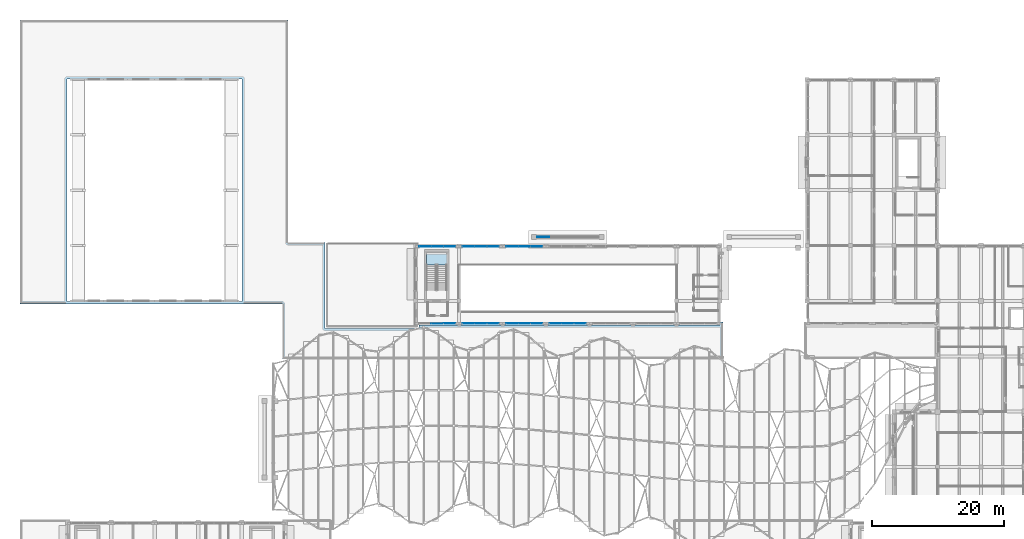
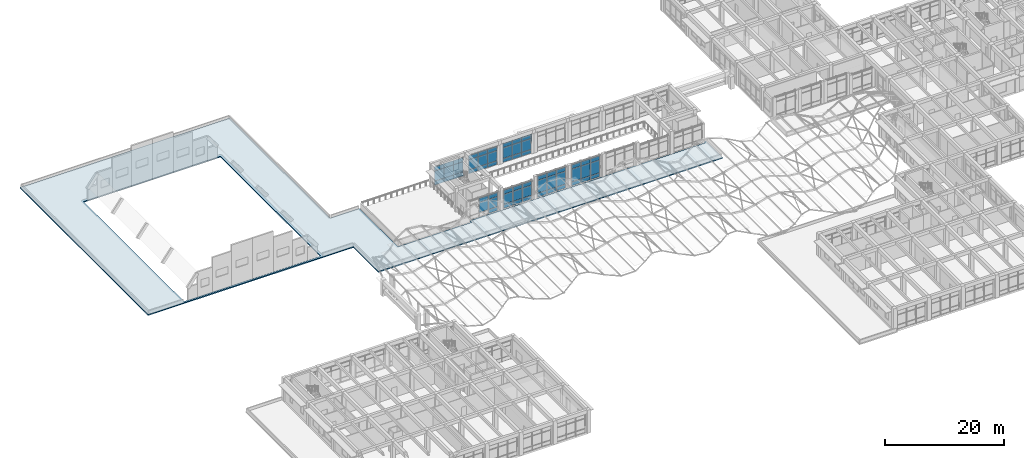
# One storey, part 38 of 79: 60 plates, 2 slabs, 8 elements without a shape of their own.
"""IFC4 building model written with IfcOpenShell, lengths in metres."""

from ifc_helpers import new_model, si_unit, direction, frame, origin, origin_2d, place, context, subcontext, project, spatial, polyline, rectangle, outline, extrude, material, layer, layer_set, type_object, element, aggregate, save


model = new_model("IFC4")

# Units and contexts
model_context = context("Model", 3, precision=1e-05, world=origin(), true_north=direction((0.0, 1.0)))
body_context = subcontext(model_context, "Body", "Model", "MODEL_VIEW")
ifc_project = project(units=[si_unit("LENGTHUNIT", "METRE"), si_unit("AREAUNIT", "SQUARE_METRE"), si_unit("VOLUMEUNIT", "CUBIC_METRE"), si_unit("PLANEANGLEUNIT", "RADIAN"), si_unit("MASSUNIT", "GRAM", prefix="KILO")], contexts=[model_context])

# Site, building, storey
site_placement = place(None, origin())
site = spatial("IfcSite", under=ifc_project, at=site_placement, CompositionType="ELEMENT")
building_placement = place(site_placement, origin())
building = spatial("IfcBuilding", under=site, at=building_placement, Name="Kolvaren Faculty of Natural Sciences", CompositionType="ELEMENT")
storey_placement = place(building_placement, frame((0.0, 0.0, 10.199951171875)))
storey = spatial("IfcBuildingStorey", under=building, at=storey_placement, Name="L02", CompositionType="ELEMENT", Elevation=10.199951171875)

# Curtain wall, plates
ifc_material_1 = material(Name="Thermally broken anodised aluminium framing", Category="aluminium")
ifc_layer_1 = layer(ifc_material_1, 0.179931640625)
ifc_layer_set_1 = layer_set([ifc_layer_1], Name="Thermally broken anodised aluminium framing")
curtain_wall_type = type_object("IfcCurtainWallType", Name="AtriumCurtainWall_CW01", PredefinedType="NOTDEFINED", material=ifc_layer_set_1)
curtain_wall_1_placement = place(storey_placement, origin())
curtain_wall_1 = element("IfcCurtainWall", 1, at=curtain_wall_1_placement, inside=storey, type_object=curtain_wall_type, Name="L02 unitised curtain wall CW-01 (CW-L02-122)", PredefinedType="NOTDEFINED")
ifc_material_2 = material(Name="Double low-E solar control insulated glazing", Category="glass")
ifc_layer_2 = layer(ifc_material_2, 0.035888671875)
ifc_layer_set_2 = layer_set([ifc_layer_2], Name="Double low-E solar control insulated glazing")
plate_type_1 = type_object("IfcPlateType", Name="EnvelopePlate_CWPGL1", PredefinedType="CURTAIN_PANEL", material=ifc_layer_set_2)
plate_1_placement = place(storey_placement, frame((84.533203125, 72.35009765625, 0.919921875), z_axis=(0.0, 0.0, 1.0), x_axis=(-1.0, 0.0, 0.0)))
plate_1 = element("IfcPlate", 2, at=plate_1_placement, type_object=plate_type_1, Name="CW-L02-122 panel 1 V1", PredefinedType="CURTAIN_PANEL", context=body_context, shape_type="SweptSolid", body=[
    extrude(rectangle(XDim=1.783203125, YDim=0.035888671875, at=origin_2d()), origin(), (0.0, 0.0, 1.0), 2.610107421875),
])
plate_2_placement = place(storey_placement, frame((82.699951171875, 72.35009765625, 0.919921875), z_axis=(0.0, 0.0, 1.0), x_axis=(-1.0, 0.0, 0.0)))
plate_2 = element("IfcPlate", 3, at=plate_2_placement, type_object=plate_type_1, Name="CW-L02-122 panel 2 V1", PredefinedType="CURTAIN_PANEL", context=body_context, shape_type="SweptSolid", body=[
    extrude(rectangle(XDim=1.783203125, YDim=0.035888671875, at=origin_2d()), origin(), (0.0, 0.0, 1.0), 2.610107421875),
])
plate_3_placement = place(storey_placement, frame((80.86669921875, 72.35009765625, 0.919921875), z_axis=(0.0, 0.0, 1.0), x_axis=(-1.0, 0.0, 0.0)))
plate_3 = element("IfcPlate", 4, at=plate_3_placement, type_object=plate_type_1, Name="CW-L02-122 panel 3 V1", PredefinedType="CURTAIN_PANEL", context=body_context, shape_type="SweptSolid", body=[
    extrude(rectangle(XDim=1.783203125, YDim=0.035888671875, at=origin_2d()), origin(), (0.0, 0.0, 1.0), 2.610107421875),
])

curtain_wall_2_placement = place(storey_placement, origin())
curtain_wall_2 = element("IfcCurtainWall", 5, at=curtain_wall_2_placement, inside=storey, type_object=curtain_wall_type, Name="L02 unitised curtain wall CW-01 (CW-L02-123)", PredefinedType="NOTDEFINED")
plate_4_placement = place(storey_placement, frame((77.933349609375, 72.35009765625, 0.919921875), z_axis=(0.0, 0.0, 1.0), x_axis=(-1.0, 0.0, 0.0)))
plate_4 = element("IfcPlate", 6, at=plate_4_placement, type_object=plate_type_1, Name="CW-L02-123 panel 1 V1", PredefinedType="CURTAIN_PANEL", context=body_context, shape_type="SweptSolid", body=[
    extrude(rectangle(XDim=1.783203125, YDim=0.035888671875, at=origin_2d()), origin(), (0.0, 0.0, 1.0), 2.610107421875),
])
plate_5_placement = place(storey_placement, frame((76.10009765625, 72.35009765625, 0.919921875), z_axis=(0.0, 0.0, 1.0), x_axis=(-1.0, 0.0, 0.0)))
plate_5 = element("IfcPlate", 7, at=plate_5_placement, type_object=plate_type_1, Name="CW-L02-123 panel 2 V1", PredefinedType="CURTAIN_PANEL", context=body_context, shape_type="SweptSolid", body=[
    extrude(rectangle(XDim=1.783203125, YDim=0.035888671875, at=origin_2d()), origin(), (0.0, 0.0, 1.0), 2.610107421875),
])
plate_6_placement = place(storey_placement, frame((74.2666015625, 72.35009765625, 0.919921875), z_axis=(0.0, 0.0, 1.0), x_axis=(-1.0, 0.0, 0.0)))
plate_6 = element("IfcPlate", 8, at=plate_6_placement, type_object=plate_type_1, Name="CW-L02-123 panel 3 V1", PredefinedType="CURTAIN_PANEL", context=body_context, shape_type="SweptSolid", body=[
    extrude(rectangle(XDim=1.783203125, YDim=0.035888671875, at=origin_2d()), origin(), (0.0, 0.0, 1.0), 2.610107421875),
])

curtain_wall_3_placement = place(storey_placement, origin())
curtain_wall_3 = element("IfcCurtainWall", 9, at=curtain_wall_3_placement, inside=storey, type_object=curtain_wall_type, Name="L02 unitised curtain wall CW-01 (CW-L02-124)", PredefinedType="NOTDEFINED")
plate_7_placement = place(storey_placement, frame((71.333251953125, 72.35009765625, 0.920166015625), z_axis=(0.0, 0.0, 1.0), x_axis=(-1.0, 0.0, 0.0)))
plate_7 = element("IfcPlate", 10, at=plate_7_placement, type_object=plate_type_1, Name="CW-L02-124 panel 1 V1", PredefinedType="CURTAIN_PANEL", context=body_context, shape_type="SweptSolid", body=[
    extrude(rectangle(XDim=1.783203125, YDim=0.035888671875, at=origin_2d()), origin(), (0.0, 0.0, 1.0), 2.044921875),
])
plate_8_placement = place(storey_placement, frame((69.5, 72.35009765625, 0.920166015625), z_axis=(0.0, 0.0, 1.0), x_axis=(-1.0, 0.0, 0.0)))
plate_8 = element("IfcPlate", 11, at=plate_8_placement, type_object=plate_type_1, Name="CW-L02-124 panel 2 V1", PredefinedType="CURTAIN_PANEL", context=body_context, shape_type="SweptSolid", body=[
    extrude(rectangle(XDim=1.783203125, YDim=0.035888671875, at=origin_2d()), origin(), (0.0, 0.0, 1.0), 2.044921875),
])
plate_9_placement = place(storey_placement, frame((67.666748046875, 72.35009765625, 0.920166015625), z_axis=(0.0, 0.0, 1.0), x_axis=(-1.0, 0.0, 0.0)))
plate_9 = element("IfcPlate", 12, at=plate_9_placement, type_object=plate_type_1, Name="CW-L02-124 panel 3 V1", PredefinedType="CURTAIN_PANEL", context=body_context, shape_type="SweptSolid", body=[
    extrude(rectangle(XDim=1.783203125, YDim=0.035888671875, at=origin_2d()), origin(), (0.0, 0.0, 1.0), 2.044921875),
])

curtain_wall_4_placement = place(storey_placement, origin())
curtain_wall_4 = element("IfcCurtainWall", 13, at=curtain_wall_4_placement, inside=storey, type_object=curtain_wall_type, Name="L02 unitised curtain wall CW-01 (CW-L02-125)", PredefinedType="NOTDEFINED")
plate_10_placement = place(storey_placement, frame((64.7333984375, 72.35009765625, 0.920166015625), z_axis=(0.0, 0.0, 1.0), x_axis=(-1.0, 0.0, 0.0)))
plate_10 = element("IfcPlate", 14, at=plate_10_placement, type_object=plate_type_1, Name="CW-L02-125 panel 1 V1", PredefinedType="CURTAIN_PANEL", context=body_context, shape_type="SweptSolid", body=[
    extrude(rectangle(XDim=1.783203125, YDim=0.035888671875, at=origin_2d()), origin(), (0.0, 0.0, 1.0), 2.044921875),
])
plate_11_placement = place(storey_placement, frame((62.89990234375, 72.35009765625, 0.920166015625), z_axis=(0.0, 0.0, 1.0), x_axis=(-1.0, 0.0, 0.0)))
plate_11 = element("IfcPlate", 15, at=plate_11_placement, type_object=plate_type_1, Name="CW-L02-125 panel 2 V1", PredefinedType="CURTAIN_PANEL", context=body_context, shape_type="SweptSolid", body=[
    extrude(rectangle(XDim=1.783203125, YDim=0.035888671875, at=origin_2d()), origin(), (0.0, 0.0, 1.0), 2.044921875),
])

curtain_wall_5_placement = place(storey_placement, origin())
curtain_wall_5 = element("IfcCurtainWall", 16, at=curtain_wall_5_placement, inside=storey, type_object=curtain_wall_type, Name="L02 unitised curtain wall CW-01 (CW-L02-126)", PredefinedType="NOTDEFINED")
plate_12_placement = place(storey_placement, frame((61.066650390625, 84.050048828125, 0.920166015625), z_axis=(0.0, 0.0, 1.0), x_axis=(1.0, 0.0, 0.0)))
plate_12 = element("IfcPlate", 17, at=plate_12_placement, type_object=plate_type_1, Name="CW-L02-126 panel 1 V1", PredefinedType="CURTAIN_PANEL", context=body_context, shape_type="SweptSolid", body=[
    extrude(rectangle(XDim=1.783203125, YDim=0.035888671875, at=origin_2d()), origin(), (0.0, 0.0, 1.0), 2.044921875),
])
plate_13_placement = place(storey_placement, frame((62.89990234375, 84.050048828125, 0.920166015625), z_axis=(0.0, 0.0, 1.0), x_axis=(1.0, 0.0, 0.0)))
plate_13 = element("IfcPlate", 18, at=plate_13_placement, type_object=plate_type_1, Name="CW-L02-126 panel 2 V1", PredefinedType="CURTAIN_PANEL", context=body_context, shape_type="SweptSolid", body=[
    extrude(rectangle(XDim=1.783203125, YDim=0.035888671875, at=origin_2d()), origin(), (0.0, 0.0, 1.0), 2.044921875),
])
plate_14_placement = place(storey_placement, frame((64.7333984375, 84.050048828125, 0.920166015625), z_axis=(0.0, 0.0, 1.0), x_axis=(1.0, 0.0, 0.0)))
plate_14 = element("IfcPlate", 19, at=plate_14_placement, type_object=plate_type_1, Name="CW-L02-126 panel 3 V1", PredefinedType="CURTAIN_PANEL", context=body_context, shape_type="SweptSolid", body=[
    extrude(rectangle(XDim=1.783203125, YDim=0.035888671875, at=origin_2d()), origin(), (0.0, 0.0, 1.0), 2.044921875),
])

curtain_wall_6_placement = place(storey_placement, origin())
curtain_wall_6 = element("IfcCurtainWall", 20, at=curtain_wall_6_placement, inside=storey, type_object=curtain_wall_type, Name="L02 unitised curtain wall CW-01 (CW-L02-127)", PredefinedType="NOTDEFINED")
plate_15_placement = place(storey_placement, frame((67.666748046875, 84.050048828125, 0.920166015625), z_axis=(0.0, 0.0, 1.0), x_axis=(1.0, 0.0, 0.0)))
plate_15 = element("IfcPlate", 21, at=plate_15_placement, type_object=plate_type_1, Name="CW-L02-127 panel 1 V1", PredefinedType="CURTAIN_PANEL", context=body_context, shape_type="SweptSolid", body=[
    extrude(rectangle(XDim=1.783203125, YDim=0.035888671875, at=origin_2d()), origin(), (0.0, 0.0, 1.0), 2.044921875),
])
plate_16_placement = place(storey_placement, frame((69.5, 84.050048828125, 0.920166015625), z_axis=(0.0, 0.0, 1.0), x_axis=(1.0, 0.0, 0.0)))
plate_16 = element("IfcPlate", 22, at=plate_16_placement, type_object=plate_type_1, Name="CW-L02-127 panel 2 V1", PredefinedType="CURTAIN_PANEL", context=body_context, shape_type="SweptSolid", body=[
    extrude(rectangle(XDim=1.783203125, YDim=0.035888671875, at=origin_2d()), origin(), (0.0, 0.0, 1.0), 2.044921875),
])
plate_17_placement = place(storey_placement, frame((71.333251953125, 84.050048828125, 0.920166015625), z_axis=(0.0, 0.0, 1.0), x_axis=(1.0, 0.0, 0.0)))
plate_17 = element("IfcPlate", 23, at=plate_17_placement, type_object=plate_type_1, Name="CW-L02-127 panel 3 V1", PredefinedType="CURTAIN_PANEL", context=body_context, shape_type="SweptSolid", body=[
    extrude(rectangle(XDim=1.783203125, YDim=0.035888671875, at=origin_2d()), origin(), (0.0, 0.0, 1.0), 2.044921875),
])

curtain_wall_7_placement = place(storey_placement, origin())
curtain_wall_7 = element("IfcCurtainWall", 24, at=curtain_wall_7_placement, inside=storey, type_object=curtain_wall_type, Name="L02 unitised curtain wall CW-01 (CW-L02-128)", PredefinedType="NOTDEFINED")
plate_18_placement = place(storey_placement, frame((74.2666015625, 84.050048828125, 0.919921875), z_axis=(0.0, 0.0, 1.0), x_axis=(1.0, 0.0, 0.0)))
plate_18 = element("IfcPlate", 25, at=plate_18_placement, type_object=plate_type_1, Name="CW-L02-128 panel 1 V1", PredefinedType="CURTAIN_PANEL", context=body_context, shape_type="SweptSolid", body=[
    extrude(rectangle(XDim=1.783203125, YDim=0.035888671875, at=origin_2d()), origin(), (0.0, 0.0, 1.0), 2.195068359375),
])
plate_19_placement = place(storey_placement, frame((76.10009765625, 84.050048828125, 0.919921875), z_axis=(0.0, 0.0, 1.0), x_axis=(1.0, 0.0, 0.0)))
plate_19 = element("IfcPlate", 26, at=plate_19_placement, type_object=plate_type_1, Name="CW-L02-128 panel 2 V1", PredefinedType="CURTAIN_PANEL", context=body_context, shape_type="SweptSolid", body=[
    extrude(rectangle(XDim=1.783203125, YDim=0.035888671875, at=origin_2d()), origin(), (0.0, 0.0, 1.0), 2.195068359375),
])
plate_20_placement = place(storey_placement, frame((77.933349609375, 84.050048828125, 0.919921875), z_axis=(0.0, 0.0, 1.0), x_axis=(1.0, 0.0, 0.0)))
plate_20 = element("IfcPlate", 27, at=plate_20_placement, type_object=plate_type_1, Name="CW-L02-128 panel 3 V1", PredefinedType="CURTAIN_PANEL", context=body_context, shape_type="SweptSolid", body=[
    extrude(rectangle(XDim=1.783203125, YDim=0.035888671875, at=origin_2d()), origin(), (0.0, 0.0, 1.0), 2.195068359375),
])

# Plate
ifc_layer_3 = layer(ifc_material_2, 0.035888671875)
ifc_layer_set_3 = layer_set([ifc_layer_3], Name="Double low-E solar control insulated glazing")
plate_type_2 = type_object("IfcPlateType", Name="EnvelopePlate_CWPGL2", PredefinedType="CURTAIN_PANEL", material=ifc_layer_set_3)
plate_21_placement = place(storey_placement, frame((84.533203125, 72.35009765625, 3.570068359375), z_axis=(0.0, 0.0, 1.0), x_axis=(-1.0, 0.0, 0.0)))
plate_21 = element("IfcPlate", 28, at=plate_21_placement, type_object=plate_type_2, Name="CW-L02-122 panel 1 V2", PredefinedType="CURTAIN_PANEL", context=body_context, shape_type="SweptSolid", body=[
    extrude(rectangle(XDim=1.783203125, YDim=0.035888671875, at=origin_2d()), origin(), (0.0, 0.0, 1.0), 0.830078125),
])

plate_22_placement = place(storey_placement, frame((82.699951171875, 72.35009765625, 3.570068359375), z_axis=(0.0, 0.0, 1.0), x_axis=(-1.0, 0.0, 0.0)))
plate_22 = element("IfcPlate", 29, at=plate_22_placement, type_object=plate_type_2, Name="CW-L02-122 panel 2 V2", PredefinedType="CURTAIN_PANEL", context=body_context, shape_type="SweptSolid", body=[
    extrude(rectangle(XDim=1.783203125, YDim=0.035888671875, at=origin_2d()), origin(), (0.0, 0.0, 1.0), 0.830078125),
])

plate_23_placement = place(storey_placement, frame((80.86669921875, 72.35009765625, 3.570068359375), z_axis=(0.0, 0.0, 1.0), x_axis=(-1.0, 0.0, 0.0)))
plate_23 = element("IfcPlate", 30, at=plate_23_placement, type_object=plate_type_2, Name="CW-L02-122 panel 3 V2", PredefinedType="CURTAIN_PANEL", context=body_context, shape_type="SweptSolid", body=[
    extrude(rectangle(XDim=1.783203125, YDim=0.035888671875, at=origin_2d()), origin(), (0.0, 0.0, 1.0), 0.830078125),
])

plate_24_placement = place(storey_placement, frame((77.933349609375, 72.35009765625, 3.570068359375), z_axis=(0.0, 0.0, 1.0), x_axis=(-1.0, 0.0, 0.0)))
plate_24 = element("IfcPlate", 31, at=plate_24_placement, type_object=plate_type_2, Name="CW-L02-123 panel 1 V2", PredefinedType="CURTAIN_PANEL", context=body_context, shape_type="SweptSolid", body=[
    extrude(rectangle(XDim=1.783203125, YDim=0.035888671875, at=origin_2d()), origin(), (0.0, 0.0, 1.0), 0.830078125),
])

plate_25_placement = place(storey_placement, frame((76.10009765625, 72.35009765625, 3.570068359375), z_axis=(0.0, 0.0, 1.0), x_axis=(-1.0, 0.0, 0.0)))
plate_25 = element("IfcPlate", 32, at=plate_25_placement, type_object=plate_type_2, Name="CW-L02-123 panel 2 V2", PredefinedType="CURTAIN_PANEL", context=body_context, shape_type="SweptSolid", body=[
    extrude(rectangle(XDim=1.783203125, YDim=0.035888671875, at=origin_2d()), origin(), (0.0, 0.0, 1.0), 0.830078125),
])

plate_26_placement = place(storey_placement, frame((74.2666015625, 72.35009765625, 3.570068359375), z_axis=(0.0, 0.0, 1.0), x_axis=(-1.0, 0.0, 0.0)))
plate_26 = element("IfcPlate", 33, at=plate_26_placement, type_object=plate_type_2, Name="CW-L02-123 panel 3 V2", PredefinedType="CURTAIN_PANEL", context=body_context, shape_type="SweptSolid", body=[
    extrude(rectangle(XDim=1.783203125, YDim=0.035888671875, at=origin_2d()), origin(), (0.0, 0.0, 1.0), 0.830078125),
])

plate_27_placement = place(storey_placement, frame((71.333251953125, 72.35009765625, 3.005126953125), z_axis=(0.0, 0.0, 1.0), x_axis=(-1.0, 0.0, 0.0)))
plate_27 = element("IfcPlate", 34, at=plate_27_placement, type_object=plate_type_2, Name="CW-L02-124 panel 1 V2", PredefinedType="CURTAIN_PANEL", context=body_context, shape_type="SweptSolid", body=[
    extrude(rectangle(XDim=1.783203125, YDim=0.035888671875, at=origin_2d()), origin(), (0.0, 0.0, 1.0), 0.830078125),
])

plate_28_placement = place(storey_placement, frame((69.5, 72.35009765625, 3.005126953125), z_axis=(0.0, 0.0, 1.0), x_axis=(-1.0, 0.0, 0.0)))
plate_28 = element("IfcPlate", 35, at=plate_28_placement, type_object=plate_type_2, Name="CW-L02-124 panel 2 V2", PredefinedType="CURTAIN_PANEL", context=body_context, shape_type="SweptSolid", body=[
    extrude(rectangle(XDim=1.783203125, YDim=0.035888671875, at=origin_2d()), origin(), (0.0, 0.0, 1.0), 0.830078125),
])

plate_29_placement = place(storey_placement, frame((67.666748046875, 72.35009765625, 3.005126953125), z_axis=(0.0, 0.0, 1.0), x_axis=(-1.0, 0.0, 0.0)))
plate_29 = element("IfcPlate", 36, at=plate_29_placement, type_object=plate_type_2, Name="CW-L02-124 panel 3 V2", PredefinedType="CURTAIN_PANEL", context=body_context, shape_type="SweptSolid", body=[
    extrude(rectangle(XDim=1.783203125, YDim=0.035888671875, at=origin_2d()), origin(), (0.0, 0.0, 1.0), 0.830078125),
])

plate_30_placement = place(storey_placement, frame((64.7333984375, 72.35009765625, 3.005126953125), z_axis=(0.0, 0.0, 1.0), x_axis=(-1.0, 0.0, 0.0)))
plate_30 = element("IfcPlate", 37, at=plate_30_placement, type_object=plate_type_2, Name="CW-L02-125 panel 1 V2", PredefinedType="CURTAIN_PANEL", context=body_context, shape_type="SweptSolid", body=[
    extrude(rectangle(XDim=1.783203125, YDim=0.035888671875, at=origin_2d()), origin(), (0.0, 0.0, 1.0), 0.830078125),
])

plate_31_placement = place(storey_placement, frame((62.89990234375, 72.35009765625, 3.005126953125), z_axis=(0.0, 0.0, 1.0), x_axis=(-1.0, 0.0, 0.0)))
plate_31 = element("IfcPlate", 38, at=plate_31_placement, type_object=plate_type_2, Name="CW-L02-125 panel 2 V2", PredefinedType="CURTAIN_PANEL", context=body_context, shape_type="SweptSolid", body=[
    extrude(rectangle(XDim=1.783203125, YDim=0.035888671875, at=origin_2d()), origin(), (0.0, 0.0, 1.0), 0.830078125),
])

plate_32_placement = place(storey_placement, frame((61.066650390625, 84.050048828125, 3.005126953125), z_axis=(0.0, 0.0, 1.0), x_axis=(1.0, 0.0, 0.0)))
plate_32 = element("IfcPlate", 39, at=plate_32_placement, type_object=plate_type_2, Name="CW-L02-126 panel 1 V2", PredefinedType="CURTAIN_PANEL", context=body_context, shape_type="SweptSolid", body=[
    extrude(rectangle(XDim=1.783203125, YDim=0.035888671875, at=origin_2d()), origin(), (0.0, 0.0, 1.0), 0.830078125),
])

plate_33_placement = place(storey_placement, frame((62.89990234375, 84.050048828125, 3.005126953125), z_axis=(0.0, 0.0, 1.0), x_axis=(1.0, 0.0, 0.0)))
plate_33 = element("IfcPlate", 40, at=plate_33_placement, type_object=plate_type_2, Name="CW-L02-126 panel 2 V2", PredefinedType="CURTAIN_PANEL", context=body_context, shape_type="SweptSolid", body=[
    extrude(rectangle(XDim=1.783203125, YDim=0.035888671875, at=origin_2d()), origin(), (0.0, 0.0, 1.0), 0.830078125),
])

plate_34_placement = place(storey_placement, frame((64.7333984375, 84.050048828125, 3.005126953125), z_axis=(0.0, 0.0, 1.0), x_axis=(1.0, 0.0, 0.0)))
plate_34 = element("IfcPlate", 41, at=plate_34_placement, type_object=plate_type_2, Name="CW-L02-126 panel 3 V2", PredefinedType="CURTAIN_PANEL", context=body_context, shape_type="SweptSolid", body=[
    extrude(rectangle(XDim=1.783203125, YDim=0.035888671875, at=origin_2d()), origin(), (0.0, 0.0, 1.0), 0.830078125),
])

plate_35_placement = place(storey_placement, frame((67.666748046875, 84.050048828125, 3.005126953125), z_axis=(0.0, 0.0, 1.0), x_axis=(1.0, 0.0, 0.0)))
plate_35 = element("IfcPlate", 42, at=plate_35_placement, type_object=plate_type_2, Name="CW-L02-127 panel 1 V2", PredefinedType="CURTAIN_PANEL", context=body_context, shape_type="SweptSolid", body=[
    extrude(rectangle(XDim=1.783203125, YDim=0.035888671875, at=origin_2d()), origin(), (0.0, 0.0, 1.0), 0.830078125),
])

plate_36_placement = place(storey_placement, frame((69.5, 84.050048828125, 3.005126953125), z_axis=(0.0, 0.0, 1.0), x_axis=(1.0, 0.0, 0.0)))
plate_36 = element("IfcPlate", 43, at=plate_36_placement, type_object=plate_type_2, Name="CW-L02-127 panel 2 V2", PredefinedType="CURTAIN_PANEL", context=body_context, shape_type="SweptSolid", body=[
    extrude(rectangle(XDim=1.783203125, YDim=0.035888671875, at=origin_2d()), origin(), (0.0, 0.0, 1.0), 0.830078125),
])

plate_37_placement = place(storey_placement, frame((71.333251953125, 84.050048828125, 3.005126953125), z_axis=(0.0, 0.0, 1.0), x_axis=(1.0, 0.0, 0.0)))
plate_37 = element("IfcPlate", 44, at=plate_37_placement, type_object=plate_type_2, Name="CW-L02-127 panel 3 V2", PredefinedType="CURTAIN_PANEL", context=body_context, shape_type="SweptSolid", body=[
    extrude(rectangle(XDim=1.783203125, YDim=0.035888671875, at=origin_2d()), origin(), (0.0, 0.0, 1.0), 0.830078125),
])

plate_38_placement = place(storey_placement, frame((74.2666015625, 84.050048828125, 3.155029296875), z_axis=(0.0, 0.0, 1.0), x_axis=(1.0, 0.0, 0.0)))
plate_38 = element("IfcPlate", 45, at=plate_38_placement, type_object=plate_type_2, Name="CW-L02-128 panel 1 V2", PredefinedType="CURTAIN_PANEL", context=body_context, shape_type="SweptSolid", body=[
    extrude(rectangle(XDim=1.783203125, YDim=0.035888671875, at=origin_2d()), origin(), (0.0, 0.0, 1.0), 0.830078125),
])

plate_39_placement = place(storey_placement, frame((76.10009765625, 84.050048828125, 3.155029296875), z_axis=(0.0, 0.0, 1.0), x_axis=(1.0, 0.0, 0.0)))
plate_39 = element("IfcPlate", 46, at=plate_39_placement, type_object=plate_type_2, Name="CW-L02-128 panel 2 V2", PredefinedType="CURTAIN_PANEL", context=body_context, shape_type="SweptSolid", body=[
    extrude(rectangle(XDim=1.783203125, YDim=0.035888671875, at=origin_2d()), origin(), (0.0, 0.0, 1.0), 0.830078125),
])

plate_40_placement = place(storey_placement, frame((77.933349609375, 84.050048828125, 3.155029296875), z_axis=(0.0, 0.0, 1.0), x_axis=(1.0, 0.0, 0.0)))
plate_40 = element("IfcPlate", 47, at=plate_40_placement, type_object=plate_type_2, Name="CW-L02-128 panel 3 V2", PredefinedType="CURTAIN_PANEL", context=body_context, shape_type="SweptSolid", body=[
    extrude(rectangle(XDim=1.783203125, YDim=0.035888671875, at=origin_2d()), origin(), (0.0, 0.0, 1.0), 0.830078125),
])

ifc_material_3 = material(Name="Insulated anodised aluminium spandrel panel", Category="aluminium")
ifc_layer_4 = layer(ifc_material_3, 0.050048828125)
ifc_layer_set_4 = layer_set([ifc_layer_4], Name="Insulated anodised aluminium spandrel panel")
plate_type_3 = type_object("IfcPlateType", Name="EnvelopePlate_CWPSP1", PredefinedType="SHEET", material=ifc_layer_set_4)
plate_41_placement = place(storey_placement, frame((84.533203125, 72.35009765625, 0.10009765625), z_axis=(0.0, 0.0, 1.0), x_axis=(-1.0, 0.0, 0.0)))
plate_41 = element("IfcPlate", 48, at=plate_41_placement, type_object=plate_type_3, Name="CW-L02-122 panel 1 SP", PredefinedType="SHEET", context=body_context, shape_type="SweptSolid", body=[
    extrude(rectangle(XDim=1.783203125, YDim=0.050048828125, at=origin_2d()), origin(), (0.0, 0.0, 1.0), 0.780029296875),
])

plate_42_placement = place(storey_placement, frame((82.699951171875, 72.35009765625, 0.10009765625), z_axis=(0.0, 0.0, 1.0), x_axis=(-1.0, 0.0, 0.0)))
plate_42 = element("IfcPlate", 49, at=plate_42_placement, type_object=plate_type_3, Name="CW-L02-122 panel 2 SP", PredefinedType="SHEET", context=body_context, shape_type="SweptSolid", body=[
    extrude(rectangle(XDim=1.783203125, YDim=0.050048828125, at=origin_2d()), origin(), (0.0, 0.0, 1.0), 0.780029296875),
])

plate_43_placement = place(storey_placement, frame((80.86669921875, 72.35009765625, 0.10009765625), z_axis=(0.0, 0.0, 1.0), x_axis=(-1.0, 0.0, 0.0)))
plate_43 = element("IfcPlate", 50, at=plate_43_placement, type_object=plate_type_3, Name="CW-L02-122 panel 3 SP", PredefinedType="SHEET", context=body_context, shape_type="SweptSolid", body=[
    extrude(rectangle(XDim=1.783203125, YDim=0.050048828125, at=origin_2d()), origin(), (0.0, 0.0, 1.0), 0.780029296875),
])

aggregate(curtain_wall_1, [plate_41, plate_1, plate_21, plate_42, plate_2, plate_22, plate_43, plate_3, plate_23])

plate_44_placement = place(storey_placement, frame((77.933349609375, 72.35009765625, 0.10009765625), z_axis=(0.0, 0.0, 1.0), x_axis=(-1.0, 0.0, 0.0)))
plate_44 = element("IfcPlate", 51, at=plate_44_placement, type_object=plate_type_3, Name="CW-L02-123 panel 1 SP", PredefinedType="SHEET", context=body_context, shape_type="SweptSolid", body=[
    extrude(rectangle(XDim=1.783203125, YDim=0.050048828125, at=origin_2d()), origin(), (0.0, 0.0, 1.0), 0.780029296875),
])

plate_45_placement = place(storey_placement, frame((76.10009765625, 72.35009765625, 0.10009765625), z_axis=(0.0, 0.0, 1.0), x_axis=(-1.0, 0.0, 0.0)))
plate_45 = element("IfcPlate", 52, at=plate_45_placement, type_object=plate_type_3, Name="CW-L02-123 panel 2 SP", PredefinedType="SHEET", context=body_context, shape_type="SweptSolid", body=[
    extrude(rectangle(XDim=1.783203125, YDim=0.050048828125, at=origin_2d()), origin(), (0.0, 0.0, 1.0), 0.780029296875),
])

plate_46_placement = place(storey_placement, frame((74.2666015625, 72.35009765625, 0.10009765625), z_axis=(0.0, 0.0, 1.0), x_axis=(-1.0, 0.0, 0.0)))
plate_46 = element("IfcPlate", 53, at=plate_46_placement, type_object=plate_type_3, Name="CW-L02-123 panel 3 SP", PredefinedType="SHEET", context=body_context, shape_type="SweptSolid", body=[
    extrude(rectangle(XDim=1.783203125, YDim=0.050048828125, at=origin_2d()), origin(), (0.0, 0.0, 1.0), 0.780029296875),
])

aggregate(curtain_wall_2, [plate_44, plate_4, plate_24, plate_45, plate_5, plate_25, plate_46, plate_6, plate_26])

plate_47_placement = place(storey_placement, frame((71.333251953125, 72.35009765625, 0.10009765625), z_axis=(0.0, 0.0, 1.0), x_axis=(-1.0, 0.0, 0.0)))
plate_47 = element("IfcPlate", 54, at=plate_47_placement, type_object=plate_type_3, Name="CW-L02-124 panel 1 SP", PredefinedType="SHEET", context=body_context, shape_type="SweptSolid", body=[
    extrude(rectangle(XDim=1.783203125, YDim=0.050048828125, at=origin_2d()), origin(), (0.0, 0.0, 1.0), 0.780029296875),
])

plate_48_placement = place(storey_placement, frame((69.5, 72.35009765625, 0.10009765625), z_axis=(0.0, 0.0, 1.0), x_axis=(-1.0, 0.0, 0.0)))
plate_48 = element("IfcPlate", 55, at=plate_48_placement, type_object=plate_type_3, Name="CW-L02-124 panel 2 SP", PredefinedType="SHEET", context=body_context, shape_type="SweptSolid", body=[
    extrude(rectangle(XDim=1.783203125, YDim=0.050048828125, at=origin_2d()), origin(), (0.0, 0.0, 1.0), 0.780029296875),
])

plate_49_placement = place(storey_placement, frame((67.666748046875, 72.35009765625, 0.10009765625), z_axis=(0.0, 0.0, 1.0), x_axis=(-1.0, 0.0, 0.0)))
plate_49 = element("IfcPlate", 56, at=plate_49_placement, type_object=plate_type_3, Name="CW-L02-124 panel 3 SP", PredefinedType="SHEET", context=body_context, shape_type="SweptSolid", body=[
    extrude(rectangle(XDim=1.783203125, YDim=0.050048828125, at=origin_2d()), origin(), (0.0, 0.0, 1.0), 0.780029296875),
])

aggregate(curtain_wall_3, [plate_47, plate_7, plate_27, plate_48, plate_8, plate_28, plate_49, plate_9, plate_29])

plate_50_placement = place(storey_placement, frame((64.7333984375, 72.35009765625, 0.10009765625), z_axis=(0.0, 0.0, 1.0), x_axis=(-1.0, 0.0, 0.0)))
plate_50 = element("IfcPlate", 57, at=plate_50_placement, type_object=plate_type_3, Name="CW-L02-125 panel 1 SP", PredefinedType="SHEET", context=body_context, shape_type="SweptSolid", body=[
    extrude(rectangle(XDim=1.783203125, YDim=0.050048828125, at=origin_2d()), origin(), (0.0, 0.0, 1.0), 0.780029296875),
])

aggregate(curtain_wall_4, [plate_50, plate_10, plate_30, plate_11, plate_31])

plate_51_placement = place(storey_placement, frame((61.066650390625, 84.050048828125, 0.10009765625), z_axis=(0.0, 0.0, 1.0), x_axis=(1.0, 0.0, 0.0)))
plate_51 = element("IfcPlate", 58, at=plate_51_placement, type_object=plate_type_3, Name="CW-L02-126 panel 1 SP", PredefinedType="SHEET", context=body_context, shape_type="SweptSolid", body=[
    extrude(rectangle(XDim=1.783203125, YDim=0.050048828125, at=origin_2d()), origin(), (0.0, 0.0, 1.0), 0.780029296875),
])

plate_52_placement = place(storey_placement, frame((62.89990234375, 84.050048828125, 0.10009765625), z_axis=(0.0, 0.0, 1.0), x_axis=(1.0, 0.0, 0.0)))
plate_52 = element("IfcPlate", 59, at=plate_52_placement, type_object=plate_type_3, Name="CW-L02-126 panel 2 SP", PredefinedType="SHEET", context=body_context, shape_type="SweptSolid", body=[
    extrude(rectangle(XDim=1.783203125, YDim=0.050048828125, at=origin_2d()), origin(), (0.0, 0.0, 1.0), 0.780029296875),
])

plate_53_placement = place(storey_placement, frame((64.7333984375, 84.050048828125, 0.10009765625), z_axis=(0.0, 0.0, 1.0), x_axis=(1.0, 0.0, 0.0)))
plate_53 = element("IfcPlate", 60, at=plate_53_placement, type_object=plate_type_3, Name="CW-L02-126 panel 3 SP", PredefinedType="SHEET", context=body_context, shape_type="SweptSolid", body=[
    extrude(rectangle(XDim=1.783203125, YDim=0.050048828125, at=origin_2d()), origin(), (0.0, 0.0, 1.0), 0.780029296875),
])

aggregate(curtain_wall_5, [plate_51, plate_12, plate_32, plate_52, plate_13, plate_33, plate_53, plate_14, plate_34])

plate_54_placement = place(storey_placement, frame((67.666748046875, 84.050048828125, 0.10009765625), z_axis=(0.0, 0.0, 1.0), x_axis=(1.0, 0.0, 0.0)))
plate_54 = element("IfcPlate", 61, at=plate_54_placement, type_object=plate_type_3, Name="CW-L02-127 panel 1 SP", PredefinedType="SHEET", context=body_context, shape_type="SweptSolid", body=[
    extrude(rectangle(XDim=1.783203125, YDim=0.050048828125, at=origin_2d()), origin(), (0.0, 0.0, 1.0), 0.780029296875),
])

plate_55_placement = place(storey_placement, frame((69.5, 84.050048828125, 0.10009765625), z_axis=(0.0, 0.0, 1.0), x_axis=(1.0, 0.0, 0.0)))
plate_55 = element("IfcPlate", 62, at=plate_55_placement, type_object=plate_type_3, Name="CW-L02-127 panel 2 SP", PredefinedType="SHEET", context=body_context, shape_type="SweptSolid", body=[
    extrude(rectangle(XDim=1.783203125, YDim=0.050048828125, at=origin_2d()), origin(), (0.0, 0.0, 1.0), 0.780029296875),
])

plate_56_placement = place(storey_placement, frame((71.333251953125, 84.050048828125, 0.10009765625), z_axis=(0.0, 0.0, 1.0), x_axis=(1.0, 0.0, 0.0)))
plate_56 = element("IfcPlate", 63, at=plate_56_placement, type_object=plate_type_3, Name="CW-L02-127 panel 3 SP", PredefinedType="SHEET", context=body_context, shape_type="SweptSolid", body=[
    extrude(rectangle(XDim=1.783203125, YDim=0.050048828125, at=origin_2d()), origin(), (0.0, 0.0, 1.0), 0.780029296875),
])

aggregate(curtain_wall_6, [plate_54, plate_15, plate_35, plate_55, plate_16, plate_36, plate_56, plate_17, plate_37])

plate_57_placement = place(storey_placement, frame((74.2666015625, 84.050048828125, 0.10009765625), z_axis=(0.0, 0.0, 1.0), x_axis=(1.0, 0.0, 0.0)))
plate_57 = element("IfcPlate", 64, at=plate_57_placement, type_object=plate_type_3, Name="CW-L02-128 panel 1 SP", PredefinedType="SHEET", context=body_context, shape_type="SweptSolid", body=[
    extrude(rectangle(XDim=1.783203125, YDim=0.050048828125, at=origin_2d()), origin(), (0.0, 0.0, 1.0), 0.780029296875),
])

plate_58_placement = place(storey_placement, frame((76.10009765625, 84.050048828125, 0.10009765625), z_axis=(0.0, 0.0, 1.0), x_axis=(1.0, 0.0, 0.0)))
plate_58 = element("IfcPlate", 65, at=plate_58_placement, type_object=plate_type_3, Name="CW-L02-128 panel 2 SP", PredefinedType="SHEET", context=body_context, shape_type="SweptSolid", body=[
    extrude(rectangle(XDim=1.783203125, YDim=0.050048828125, at=origin_2d()), origin(), (0.0, 0.0, 1.0), 0.780029296875),
])

plate_59_placement = place(storey_placement, frame((77.933349609375, 84.050048828125, 0.10009765625), z_axis=(0.0, 0.0, 1.0), x_axis=(1.0, 0.0, 0.0)))
plate_59 = element("IfcPlate", 66, at=plate_59_placement, type_object=plate_type_3, Name="CW-L02-128 panel 3 SP", PredefinedType="SHEET", context=body_context, shape_type="SweptSolid", body=[
    extrude(rectangle(XDim=1.783203125, YDim=0.050048828125, at=origin_2d()), origin(), (0.0, 0.0, 1.0), 0.780029296875),
])

aggregate(curtain_wall_7, [plate_57, plate_18, plate_38, plate_58, plate_19, plate_39, plate_59, plate_20, plate_40])

ifc_material_4 = material(Name="Extruded architectural terracotta screen", Category="masonry")
ifc_layer_5 = layer(ifc_material_4, 0.06494140625)
ifc_layer_set_5 = layer_set([ifc_layer_5], Name="Extruded architectural terracotta screen")
plate_type_4 = type_object("IfcPlateType", Name="EnvelopePlate_JL01", PredefinedType="USERDEFINED", material=ifc_layer_set_5)
plate_60_placement = place(storey_placement, frame((78.93994140625, 85.5, 1.31005859375), z_axis=(0.0, 0.0, 1.0), x_axis=(1.0, 0.0, 0.0)))
element("IfcPlate", 67, at=plate_60_placement, inside=storey, type_object=plate_type_4, Name="North Civic Square Grand Atrium Pishtaq Portal perforated terracotta jali tympanum panel 1", ObjectType="SCREEN", PredefinedType="USERDEFINED", context=body_context, shape_type="SweptSolid", body=[
    extrude(rectangle(XDim=1.820068359375, YDim=0.06494140625, at=origin_2d()), origin(), (0.0, 0.0, 1.0), 1.530029296875),
])

# Slab
ifc_material_5 = material(Name="Concrete C35/45", Category="concrete")
ifc_layer_6 = layer(ifc_material_5, 0.219970703125)
ifc_layer_set_6 = layer_set([ifc_layer_6], Name="Concrete C35/45")
slab_type_1 = type_object("IfcSlabType", Name="FlatWingRoofSlab_220", PredefinedType="ROOF", material=ifc_layer_set_6)
slab_1_placement = place(storey_placement, frame((0.0, 0.0, -0.219970703125)))
element("IfcSlab", 68, at=slab_1_placement, inside=storey, type_object=slab_type_1, Name="L02 flat reinforced concrete roof slab 5", PredefinedType="ROOF", context=body_context, shape_type="SweptSolid", body=[
    extrude(outline(polyline([(105.802001953125, 72.18017578125), (105.803955078125, 72.180419921875), (105.805908203125, 72.180908203125), (105.8076171875, 72.181396484375), (105.809326171875, 72.182373046875), (105.81103515625, 72.183349609375), (105.812744140625, 72.1845703125), (105.814208984375, 72.185791015625), (105.8154296875, 72.187255859375), (105.816650390625, 72.18896484375), (105.817626953125, 72.190673828125), (105.818603515625, 72.1923828125), (105.819091796875, 72.194091796875), (105.819580078125, 72.196044921875), (105.81982421875, 72.197998046875), (105.820068359375, 72.199951171875), (105.820068359375, 72.580078125), (106.22998046875, 72.580078125), (106.22998046875, 66.969970703125), (39.3701171875, 66.969970703125), (39.3701171875, 75.3701171875), (-0.429931640625, 75.3701171875), (-0.429931640625, 118.429931640625), (40.22998046875, 118.429931640625), (40.22998046875, 84.6298828125), (45.85009765625, 84.6298828125), (45.85009765625, 71.64990234375), (60.14990234375, 71.64990234375), (60.14990234375, 72.179931640625), (105.800048828125, 72.179931640625), (105.802001953125, 72.18017578125)]), holes=[polyline([(33.280029296875, 109.47998046875), (6.719970703125, 109.47998046875), (6.719970703125, 75.719970703125), (33.280029296875, 75.719970703125), (33.280029296875, 109.47998046875)])]), origin(), (0.0, 0.0, 1.0), 0.219970703125),
])

# Stair, slab
stair_type = type_object("IfcStairType", Name="DoglegStair_H4800", PredefinedType="HALF_TURN_STAIR", material=ifc_material_5)
stair_placement = place(storey_placement, origin())
stair = element("IfcStair", 69, at=stair_placement, inside=storey, type_object=stair_type, Name="L02 Protected exit stair ST-6", PredefinedType="HALF_TURN_STAIR")
ifc_layer_7 = layer(ifc_material_5, 0.199951171875)
ifc_layer_set_7 = layer_set([ifc_layer_7], Name="Concrete C35/45")
slab_type_2 = type_object("IfcSlabType", Name="StairLandingSlab_200", PredefinedType="LANDING", material=ifc_layer_set_7)
slab_2_placement = place(storey_placement, frame((0.0, 0.0, 2.199951171875)))
slab_2 = element("IfcSlab", 70, at=slab_2_placement, type_object=slab_type_2, Name="ST-6 landing 1", PredefinedType="LANDING", context=body_context, shape_type="SweptSolid", body=[
    extrude(outline(polyline([(64.35009765625, 81.284912109375), (64.35009765625, 83.25), (61.25, 83.25), (61.25, 81.284912109375), (64.35009765625, 81.284912109375)])), origin(), (0.0, 0.0, 1.0), 0.2001953125),
])
aggregate(stair, [slab_2])

save(model, "model.ifc")
